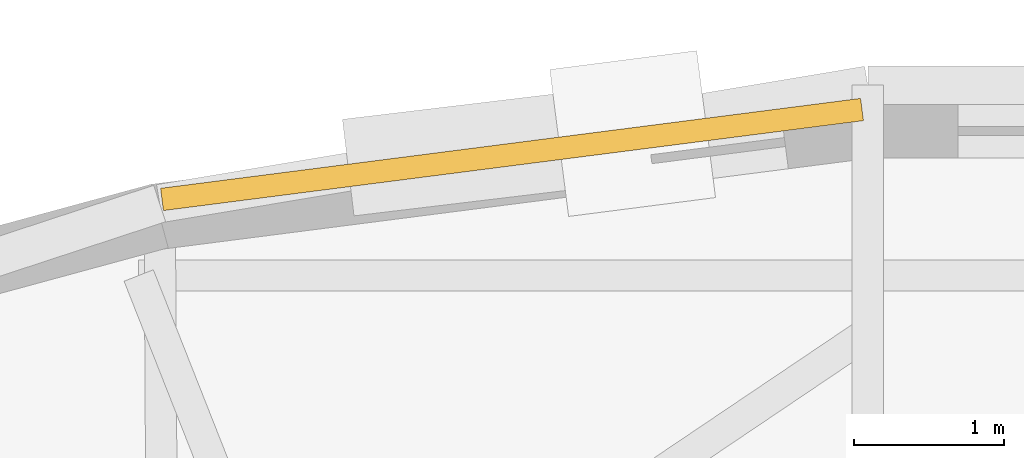
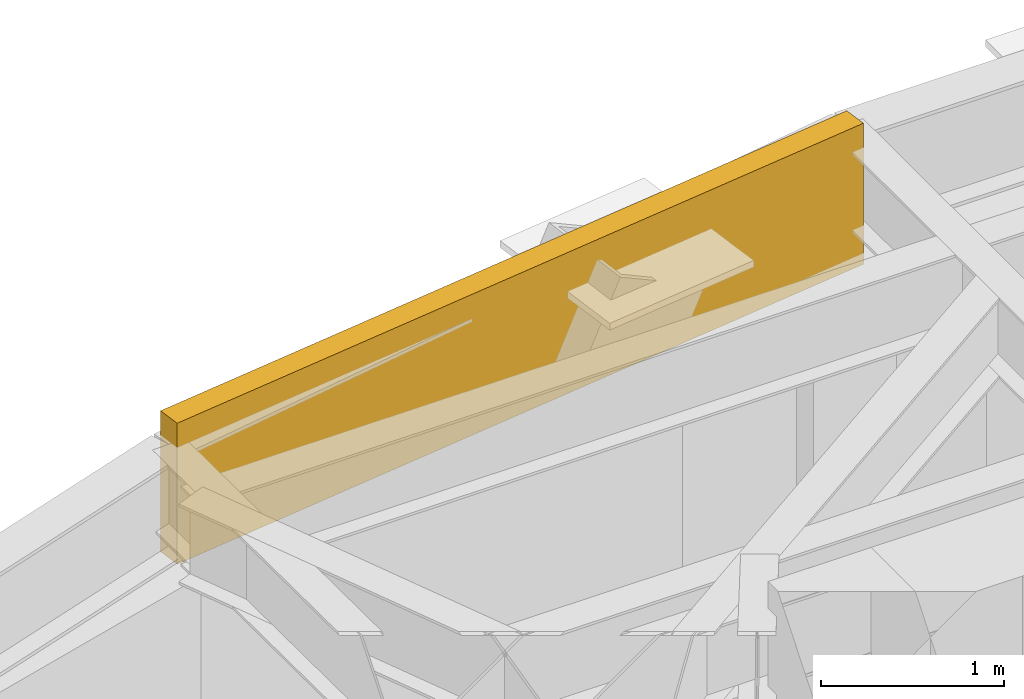
# One storey, part 14 of 14: 1 covering.
"""IFC4 building model written with IfcOpenShell, lengths in metres."""

from ifc_helpers import new_model, si_unit, direction, frame, origin, origin_2d, place, context, subcontext, project, spatial, rectangle, extrude, material, layer, layer_set, type_object, element, save


model = new_model("IFC4")

# Units and contexts
model_context = context("Model", 3, precision=1e-05, world=origin(), true_north=direction((0.0, 1.0)))
body_context = subcontext(model_context, "Body", "Model", "MODEL_VIEW")
ifc_project = project(units=[si_unit("LENGTHUNIT", "METRE"), si_unit("AREAUNIT", "SQUARE_METRE"), si_unit("VOLUMEUNIT", "CUBIC_METRE"), si_unit("PLANEANGLEUNIT", "RADIAN"), si_unit("MASSUNIT", "GRAM", prefix="KILO")], contexts=[model_context])

# Site, building, storey
site_placement = place(None, origin())
site = spatial("IfcSite", under=ifc_project, at=site_placement, CompositionType="ELEMENT")
building_placement = place(site_placement, origin())
building = spatial("IfcBuilding", under=site, at=building_placement, Name="Keldmark Tower", CompositionType="ELEMENT")
storey_placement = place(building_placement, frame((0.0, 0.0, 169.39990234375)))
storey = spatial("IfcBuildingStorey", under=building, at=storey_placement, Name="L46", CompositionType="ELEMENT", Elevation=169.39990234375)

# Covering
ifc_material = material(Name="Honed Kasota Buff Dolomitic Limestone", Category="masonry")
ifc_layer = layer(ifc_material, 0.074951171875)
ifc_layer_set = layer_set([ifc_layer], Name="Honed Kasota Buff Dolomitic Limestone")
covering_type = type_object("IfcCoveringType", Name="Kasota Buff Limestone Spandrel Cladding Band", PredefinedType="CLADDING", material=ifc_layer_set)
covering_placement = place(storey_placement, frame((-4.823974609375, 16.370849609375, 2.2392578125), z_axis=(0.0, 0.0, 1.0), x_axis=(-0.991850028246, -0.12741083733, 0.0)))
element("IfcCovering", 1, at=covering_placement, inside=storey, type_object=covering_type, Name="L46 Kasota Limestone Spandrel Band 09", PredefinedType="CLADDING", context=body_context, shape_type="SweptSolid", body=[
    extrude(rectangle(XDim=4.717041015625, YDim=0.14990234375, at=origin_2d()), origin(), (0.0, 0.0, 1.0), 0.94091796875),
])

save(model, "model.ifc")
